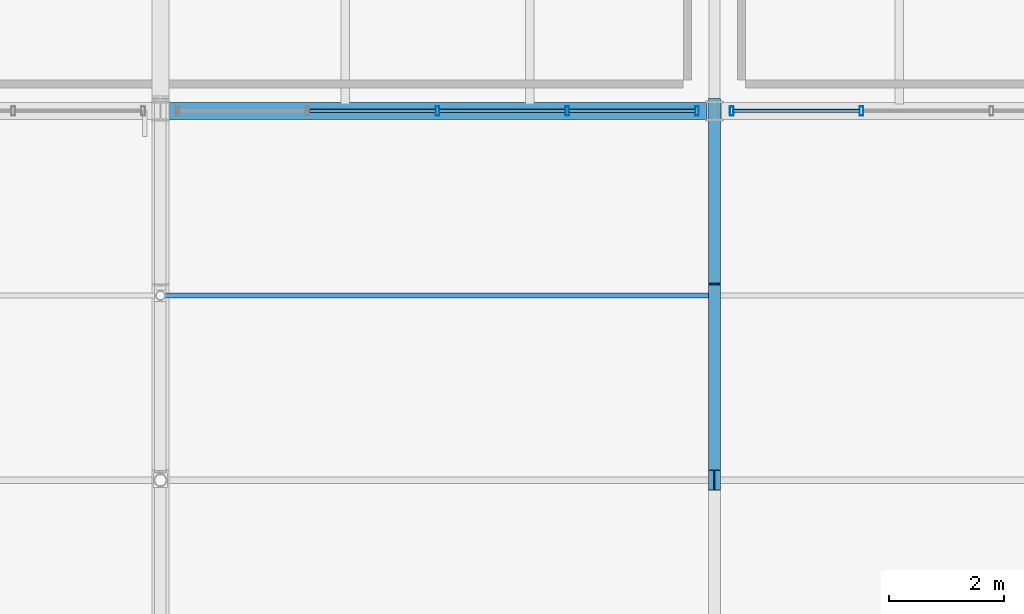
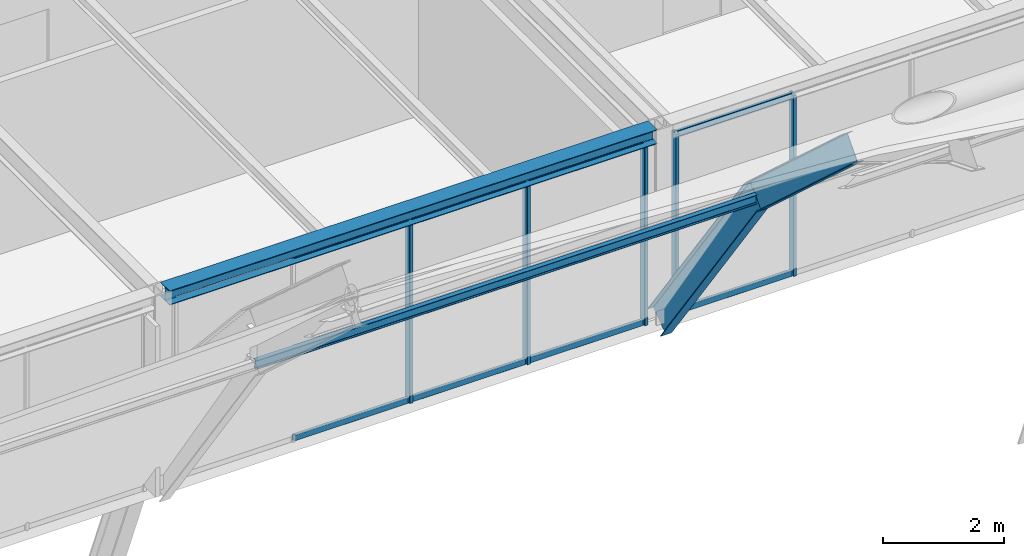
# One storey, part 80 of 126: 18 members, 3 beams, 2 elements without a shape of their own.
"""IFC4 building model written with IfcOpenShell, lengths in metres."""

import ifcopenshell
import ifcopenshell.guid

model = None  # the IFC model being written
_history = None  # IfcOwnerHistory: only IFC2X3 demands one
_inside = {}  # id of a spatial element -> (the spatial element, [elements in it])
_under = {}  # id of a project, library or spatial element -> (it, [spatial elements below it])
_declared = {}  # id of a project -> (the project, [libraries it declares])
_typed = {}  # id of a type object -> (the type object, [elements of that type])
_made_of = {}  # id of a material, layer set ... -> (it, [elements and type objects made of it])


def new_model(schema):
    """Start an empty IFC model of exactly this schema.

    Asked for "IFC4X3", IfcOpenShell would pick the latest addendum, in which some entities
    have other attributes; the version numbers below select the first issue.
    IFC2X3 requires an IfcOwnerHistory on every rooted entity: one is made here for all.
    """
    global model, _history
    if schema == "IFC4X3":
        model = ifcopenshell.file(schema_version=(4, 3, 0, 0))
    else:
        model = ifcopenshell.file(schema=schema)
    _inside.clear()
    _under.clear()
    _declared.clear()
    _typed.clear()
    _made_of.clear()
    _history = None
    if model.schema == "IFC2X3":
        org = make("IfcOrganization", Name="unknown")
        user = make(
            "IfcPersonAndOrganization",
            ThePerson=make("IfcPerson", FamilyName="unknown"),
            TheOrganization=org,
        )
        app = make(
            "IfcApplication",
            ApplicationDeveloper=org,
            Version="unknown",
            ApplicationFullName="unknown",
            ApplicationIdentifier="unknown",
        )
        _history = make(
            "IfcOwnerHistory",
            OwningUser=user,
            OwningApplication=app,
            ChangeAction="ADDED",
            CreationDate=0,
        )
    return model


def make(cls, **values):
    """One entity of the class cls with the attributes given. An attribute that is None is left unset."""
    return model.create_entity(
        cls, **{name: value for name, value in values.items() if value is not None}
    )


def rooted(cls, **values):
    """An entity with a GlobalId (a new one), such as an element, a storey or a relation."""
    return make(cls, GlobalId=ifcopenshell.guid.new(), OwnerHistory=_history, **values)


def si_unit(unit_type, name, prefix=None):
    """IfcSIUnit, for example si_unit("LENGTHUNIT", "METRE", prefix="MILLI")."""
    return make("IfcSIUnit", UnitType=unit_type, Prefix=prefix, Name=name)


def assignment(units):
    """IfcUnitAssignment: the units of a project."""
    return None if units is None else make("IfcUnitAssignment", Units=units)


def point(xyz):
    """IfcCartesianPoint."""
    return None if xyz is None else make("IfcCartesianPoint", Coordinates=xyz)


def direction(xyz):
    """IfcDirection."""
    return None if xyz is None else make("IfcDirection", DirectionRatios=xyz)


def frame(location, z_axis=None, x_axis=None):
    """IfcAxis2Placement3D, a coordinate frame: its origin and axes. An axis left out is left unset."""
    return make(
        "IfcAxis2Placement3D",
        Location=point(location),
        Axis=direction(z_axis),
        RefDirection=direction(x_axis),
    )


def frame_2d(location, x_axis=None):
    """IfcAxis2Placement2D, a coordinate frame in the plane: its origin and x axis."""
    return make(
        "IfcAxis2Placement2D", Location=point(location), RefDirection=direction(x_axis)
    )


def origin():
    """The frame at (0, 0, 0) with its axes left unset."""
    return frame((0.0, 0.0, 0.0))


def origin_2d():
    """The frame at (0, 0) in the plane with its x axis left unset."""
    return frame_2d((0.0, 0.0))


def place(relative_to, where):
    """IfcLocalPlacement: puts the frame where relative to a parent placement (None: the world)."""
    return make(
        "IfcLocalPlacement", PlacementRelTo=relative_to, RelativePlacement=where
    )


def context(
    kind, dimensions, precision=None, world=None, true_north=None, identifier=None
):
    """IfcGeometricRepresentationContext, for example the 3D "Model" context."""
    return make(
        "IfcGeometricRepresentationContext",
        ContextIdentifier=identifier,
        ContextType=kind,
        CoordinateSpaceDimension=dimensions,
        Precision=precision,
        WorldCoordinateSystem=world,
        TrueNorth=true_north,
    )


def subcontext(parent, identifier, kind, view, scale=None):
    """IfcGeometricRepresentationSubContext, for example "Body" below "Model"."""
    return make(
        "IfcGeometricRepresentationSubContext",
        ContextIdentifier=identifier,
        ContextType=kind,
        ParentContext=parent,
        TargetScale=scale,
        TargetView=view,
    )


def project(units=None, contexts=None):
    """IfcProject with its units and contexts."""
    return rooted(
        "IfcProject",
        Name="project",
        RepresentationContexts=contexts,
        UnitsInContext=assignment(units),
    )


def spatial(cls, under=None, at=None, **own):
    """A site, building, storey or space (cls), placed at a placement, below another one or the project."""
    s = rooted(cls, ObjectPlacement=at, **own)
    if under is not None:
        _under.setdefault(under.id(), (under, []))[1].append(s)
    return s


def profile(cls, at=None, kind="AREA", **sizes):
    """A parametric profile (cls). Its sizes go by their IFC names, for example OverallWidth=200.0."""
    return make(cls, ProfileType=kind, Position=at, **sizes)


def hollow_rectangle(**sizes):
    """IfcRectangleHollowProfileDef."""
    return profile("IfcRectangleHollowProfileDef", **sizes)


def i_section(**sizes):
    """IfcIShapeProfileDef."""
    return profile("IfcIShapeProfileDef", **sizes)


def extrude(swept, where, along, depth):
    """IfcExtrudedAreaSolid: the profile swept, set in the frame where, extruded along a direction by depth."""
    return make(
        "IfcExtrudedAreaSolid",
        SweptArea=swept,
        Position=where,
        ExtrudedDirection=direction(along),
        Depth=depth,
    )


def shape(context_of_items, identifier, shape_type, items):
    """IfcShapeRepresentation: the items that make up one representation, for example the "Body"."""
    return make(
        "IfcShapeRepresentation",
        ContextOfItems=context_of_items,
        RepresentationIdentifier=identifier,
        RepresentationType=shape_type,
        Items=items,
    )


def material(Name=None, Category=None):
    """IfcMaterial."""
    return make("IfcMaterial", Name=Name, Category=Category)


def material_profile(
    of_material, cross_section, Name=None, Category=None, Priority=None
):
    """IfcMaterialProfile: a cross section and its material."""
    return make(
        "IfcMaterialProfile",
        Name=Name,
        Material=of_material,
        Profile=cross_section,
        Priority=Priority,
        Category=Category,
    )


def profile_set(profiles, Name=None, composite=None):
    """IfcMaterialProfileSet."""
    return make(
        "IfcMaterialProfileSet",
        Name=Name,
        MaterialProfiles=profiles,
        CompositeProfile=composite,
    )


def made_of(thing, what):
    """Note that an element or type object is made of a material, layer set ...; save() writes the relation."""
    if what is not None:
        _made_of.setdefault(what.id(), (what, []))[1].append(thing)
    return thing


def type_object(cls, material=None, **own):
    """A type object (cls), such as IfcWallType, which elements share."""
    return made_of(rooted(cls, **own), material)


def element(
    cls,
    number,
    at=None,
    inside=None,
    cuts=None,
    type_object=None,
    material=None,
    context=None,
    identifier="Body",
    shape_type=None,
    held_by="IfcProductDefinitionShape",
    body=None,
    shapes=None,
    **own,
):
    """One element of the class cls, such as IfcWall. Its Tag is "e" and its number.

    at: its placement. inside: the storey or other place that contains it. cuts: it is an
    opening in that element (IfcRelVoidsElement). A single representation is given by context,
    identifier, shape_type and body (its items); several are given by shapes. held_by: the class
    of the entity that holds the representations. save() writes the other relations.
    """
    e = rooted(cls, Tag="e%d" % number, ObjectPlacement=at, **own)
    if body is not None:
        shapes = [shape(context, identifier, shape_type, body)]
    if shapes is not None:
        e.Representation = make(held_by, Representations=shapes)
    if inside is not None:
        _inside.setdefault(inside.id(), (inside, []))[1].append(e)
    if cuts is not None:
        rooted(
            "IfcRelVoidsElement", RelatingBuildingElement=cuts, RelatedOpeningElement=e
        )
    if type_object is not None:
        _typed.setdefault(type_object.id(), (type_object, []))[1].append(e)
    return made_of(e, material)


def aggregate(whole, parts):
    """IfcRelAggregates: a whole, such as a stair, and the parts it consists of."""
    return rooted("IfcRelAggregates", RelatingObject=whole, RelatedObjects=parts)


def save(model, path):
    """Write the relations noted so far, then the file.

    IfcRelAggregates (storeys below a building ...), IfcRelContainedInSpatialStructure (elements
    in a storey), IfcRelDefinesByType, IfcRelAssociatesMaterial and IfcRelDeclares: one each for
    every whole, place, type object, material and project.
    """
    for whole, parts in _under.values():
        aggregate(whole, parts)
    for where, things in _inside.values():
        rooted(
            "IfcRelContainedInSpatialStructure",
            RelatedElements=things,
            RelatingStructure=where,
        )
    for kind, things in _typed.values():
        rooted("IfcRelDefinesByType", RelatedObjects=things, RelatingType=kind)
    for what, things in _made_of.values():
        rooted("IfcRelAssociatesMaterial", RelatedObjects=things, RelatingMaterial=what)
    for by, libraries in _declared.values():
        rooted("IfcRelDeclares", RelatingContext=by, RelatedDefinitions=libraries)
    model.write(path)


model = new_model("IFC4")

# Units and contexts
model_context = context("Model", 3, precision=1e-05, world=origin(), true_north=direction((0.0, 1.0)))
body_context = subcontext(model_context, "Body", "Model", "MODEL_VIEW")
ifc_project = project(units=[si_unit("LENGTHUNIT", "METRE"), si_unit("AREAUNIT", "SQUARE_METRE"), si_unit("VOLUMEUNIT", "CUBIC_METRE"), si_unit("PLANEANGLEUNIT", "RADIAN"), si_unit("MASSUNIT", "GRAM", prefix="KILO")], contexts=[model_context])

# Site, building, storey
site_placement = place(None, origin())
site = spatial("IfcSite", under=ifc_project, at=site_placement, CompositionType="ELEMENT")
building_placement = place(site_placement, origin())
building = spatial("IfcBuilding", under=site, at=building_placement, Name="Coralgate Yard Interchange", CompositionType="ELEMENT")
storey_placement = place(building_placement, frame((0.0, 0.0, 10.5)))
storey = spatial("IfcBuildingStorey", under=building, at=storey_placement, Name="L02", CompositionType="ELEMENT", Elevation=10.5)

# Beams
ifc_material_1 = material(Name="Structural steel S355J2", Category="steel")
ifc_material_profile_1 = material_profile(ifc_material_1, i_section(OverallWidth=0.300048828125, OverallDepth=0.2900390625, WebThickness=0.008544921875, FlangeThickness=0.013916015625, FilletRadius=0.027099609375, at=origin_2d()), Name="HEA 300")
ifc_profile_set_1 = profile_set([ifc_material_profile_1], Name="Structural steel S355J2")
beam_type_1 = type_object("IfcBeamType", Name="BM-SP-2", PredefinedType="SPANDREL", material=ifc_profile_set_1)
beam_1_placement = place(storey_placement, frame((67.327392578125, 76.800048828125, 3.804931640625), z_axis=(1.0, 0.0, 0.0), x_axis=(0.0, 1.0, 0.0)))
element("IfcBeam", 1, at=beam_1_placement, inside=storey, type_object=beam_type_1, Name="L02 primary grid beam Y8 X7-8", PredefinedType="SPANDREL", context=body_context, shape_type="SweptSolid", body=[
    extrude(i_section(OverallWidth=0.300048828125, OverallDepth=0.2900390625, WebThickness=0.008544921875, FlangeThickness=0.013916015625, FilletRadius=0.027099609375, at=origin_2d()), origin(), (0.0, 0.0, 1.0), 9.34521484375),
])
ifc_material_2 = material(Name="Weather-coated structural steel S355J2", Category="steel")
ifc_material_profile_2 = material_profile(ifc_material_2, i_section(OverallWidth=0.209228515625, OverallDepth=0.533203125, WebThickness=0.010009765625, FlangeThickness=0.015625, FilletRadius=0.0126953125, at=origin_2d()), Name="UB 533x210x92")
ifc_profile_set_2 = profile_set([ifc_material_profile_2], Name="Weather-coated structural steel S355J2")
beam_type_2 = type_object("IfcBeamType", Name="BM-VR-1", PredefinedType="BEAM", material=ifc_profile_set_2)
beam_2_placement = place(storey_placement, frame((76.800048828125, 70.39990234375, 7.332763671875), z_axis=(0.0, 0.739500841068, -0.673155632867), x_axis=(-1.0, 0.0, 0.0)))
element("IfcBeam", 2, at=beam_2_placement, inside=storey, type_object=beam_type_2, Name="Barrel-vault gridshell rib 5 seg 11", PredefinedType="BEAM", context=body_context, shape_type="SweptSolid", body=[
    extrude(i_section(OverallWidth=0.209228515625, OverallDepth=0.533203125, WebThickness=0.010009765625, FlangeThickness=0.015625, FilletRadius=0.0126953125, at=origin_2d()), origin(), (0.0, 0.0, 1.0), 4.327392578125),
])
beam_3_placement = place(storey_placement, frame((76.800048828125, 73.60009765625, 4.419677734375), z_axis=(0.0, 0.581821714705, -0.813316354377), x_axis=(-1.0, 0.0, 0.0)))
element("IfcBeam", 3, at=beam_3_placement, inside=storey, type_object=beam_type_2, Name="Barrel-vault gridshell rib 5 seg 12", PredefinedType="BEAM", context=body_context, shape_type="SweptSolid", body=[
    extrude(i_section(OverallWidth=0.209228515625, OverallDepth=0.533203125, WebThickness=0.010009765625, FlangeThickness=0.015625, FilletRadius=0.0126953125, at=origin_2d()), origin(), (0.0, 0.0, 1.0), 5.5),
])

# Curtain wall, members
ifc_material_3 = material(Name="Anodised coastal aluminium and solar-control low-E glass", Category="aluminium")
curtain_wall_type = type_object("IfcCurtainWallType", Name="CW-CW-L02-A", PredefinedType="NOTDEFINED", material=ifc_material_3)
curtain_wall_1_placement = place(storey_placement, origin())
curtain_wall_1 = element("IfcCurtainWall", 4, at=curtain_wall_1_placement, inside=storey, type_object=curtain_wall_type, Name="L02 unitised curtain wall CW-L02-S-07-08", PredefinedType="NOTDEFINED")
ifc_material_4 = material(Name="Anodised coastal aluminium 6063-T6", Category="aluminium")
ifc_material_profile_3 = material_profile(ifc_material_4, hollow_rectangle(XDim=0.06494140625, YDim=0.159912109375, WallThickness=0.00390625, InnerFilletRadius=0.00390625, OuterFilletRadius=0.008056640625, at=origin_2d()), Name="ALU 65x160x4")
ifc_profile_set_3 = profile_set([ifc_material_profile_3], Name="Anodised coastal aluminium 6063-T6")
member_type_1 = type_object("IfcMemberType", Name="MB-MUL-160", PredefinedType="MULLION", material=ifc_profile_set_3)
member_1_placement = place(storey_placement, frame((76.5, 76.800048828125, 0.0), z_axis=(0.0, 0.0, 1.0), x_axis=(1.0, 0.0, 0.0)))
member_1 = element("IfcMember", 5, at=member_1_placement, type_object=member_type_1, Name="CW-L02-S-07-08 vertical mullion 1", PredefinedType="MULLION", context=body_context, shape_type="SweptSolid", body=[
    extrude(hollow_rectangle(XDim=0.06494140625, YDim=0.159912109375, WallThickness=0.00390625, InnerFilletRadius=0.00390625, OuterFilletRadius=0.008056640625, at=origin_2d()), origin(), (0.0, 0.0, 1.0), 3.659912109375),
])
member_2_placement = place(storey_placement, frame((74.25, 76.800048828125, 0.0), z_axis=(0.0, 0.0, 1.0), x_axis=(1.0, 0.0, 0.0)))
member_2 = element("IfcMember", 6, at=member_2_placement, type_object=member_type_1, Name="CW-L02-S-07-08 vertical mullion 2", PredefinedType="MULLION", context=body_context, shape_type="SweptSolid", body=[
    extrude(hollow_rectangle(XDim=0.06494140625, YDim=0.159912109375, WallThickness=0.00390625, InnerFilletRadius=0.00390625, OuterFilletRadius=0.008056640625, at=origin_2d()), origin(), (0.0, 0.0, 1.0), 3.659912109375),
])
member_3_placement = place(storey_placement, frame((72.0, 76.800048828125, 0.0), z_axis=(0.0, 0.0, 1.0), x_axis=(1.0, 0.0, 0.0)))
member_3 = element("IfcMember", 7, at=member_3_placement, type_object=member_type_1, Name="CW-L02-S-07-08 vertical mullion 3", PredefinedType="MULLION", context=body_context, shape_type="SweptSolid", body=[
    extrude(hollow_rectangle(XDim=0.06494140625, YDim=0.159912109375, WallThickness=0.00390625, InnerFilletRadius=0.00390625, OuterFilletRadius=0.008056640625, at=origin_2d()), origin(), (0.0, 0.0, 1.0), 3.659912109375),
])

curtain_wall_2_placement = place(storey_placement, origin())
curtain_wall_2 = element("IfcCurtainWall", 8, at=curtain_wall_2_placement, inside=storey, type_object=curtain_wall_type, Name="L02 unitised curtain wall CW-L02-S-08-08", PredefinedType="NOTDEFINED")
member_4_placement = place(storey_placement, frame((79.35009765625, 76.800048828125, 0.0), z_axis=(0.0, 0.0, 1.0), x_axis=(1.0, 0.0, 0.0)))
member_4 = element("IfcMember", 9, at=member_4_placement, type_object=member_type_1, Name="CW-L02-S-08-08 vertical mullion 4", PredefinedType="MULLION", context=body_context, shape_type="SweptSolid", body=[
    extrude(hollow_rectangle(XDim=0.06494140625, YDim=0.159912109375, WallThickness=0.00390625, InnerFilletRadius=0.00390625, OuterFilletRadius=0.008056640625, at=origin_2d()), origin(), (0.0, 0.0, 1.0), 3.659912109375),
])
member_5_placement = place(storey_placement, frame((77.10009765625, 76.800048828125, 0.0), z_axis=(0.0, 0.0, 1.0), x_axis=(1.0, 0.0, 0.0)))
member_5 = element("IfcMember", 10, at=member_5_placement, type_object=member_type_1, Name="CW-L02-S-08-08 vertical mullion 5", PredefinedType="MULLION", context=body_context, shape_type="SweptSolid", body=[
    extrude(hollow_rectangle(XDim=0.06494140625, YDim=0.159912109375, WallThickness=0.00390625, InnerFilletRadius=0.00390625, OuterFilletRadius=0.008056640625, at=origin_2d()), origin(), (0.0, 0.0, 1.0), 3.659912109375),
])

# Member
ifc_material_5 = material(Name="Off-white architectural structural steel S355J2", Category="steel")
ifc_material_profile_4 = material_profile(ifc_material_5, i_section(OverallWidth=0.091064453125, OverallDepth=0.179931640625, WebThickness=0.00537109375, FlangeThickness=0.008056640625, FilletRadius=0.009033203125, at=origin_2d()), Name="IPE 180")
ifc_profile_set_4 = profile_set([ifc_material_profile_4], Name="Off-white architectural structural steel S355J2")
member_type_2 = type_object("IfcMemberType", Name="MB-PR-2", PredefinedType="PURLIN", material=ifc_profile_set_4)
member_6_placement = place(storey_placement, frame((67.201904296875, 73.60009765625, 4.3662109375), z_axis=(1.0, 0.0, 0.0), x_axis=(0.0, 1.0, 0.0)))
element("IfcMember", 11, at=member_6_placement, inside=storey, type_object=member_type_2, Name="Barrel-vault gridshell purlin 4-12", PredefinedType="PURLIN", context=body_context, shape_type="SweptSolid", body=[
    extrude(i_section(OverallWidth=0.091064453125, OverallDepth=0.179931640625, WebThickness=0.00537109375, FlangeThickness=0.008056640625, FilletRadius=0.009033203125, at=origin_2d()), origin(), (0.0, 0.0, 1.0), 9.59619140625),
])

ifc_material_profile_5 = material_profile(ifc_material_4, hollow_rectangle(XDim=0.06005859375, YDim=0.1201171875, WallThickness=0.00341796875, InnerFilletRadius=0.00341796875, OuterFilletRadius=0.007080078125, at=origin_2d()), Name="ALU 60x120x3.5")
ifc_profile_set_5 = profile_set([ifc_material_profile_5], Name="Anodised coastal aluminium 6063-T6")
member_type_3 = type_object("IfcMemberType", Name="MB-TRN-120", PredefinedType="USERDEFINED", material=ifc_profile_set_5)
member_7_placement = place(storey_placement, frame((76.469970703125, 76.800048828125, 0.034912109375), z_axis=(-1.0, 0.0, 0.0), x_axis=(0.0, -1.0, 0.0)))
member_7 = element("IfcMember", 12, at=member_7_placement, type_object=member_type_3, Name="CW-L02-S-07-08 horizontal transom 1-1", ObjectType="TRANSOM", PredefinedType="USERDEFINED", context=body_context, shape_type="SweptSolid", body=[
    extrude(hollow_rectangle(XDim=0.06005859375, YDim=0.1201171875, WallThickness=0.00341796875, InnerFilletRadius=0.00341796875, OuterFilletRadius=0.007080078125, at=origin_2d()), origin(), (0.0, 0.0, 1.0), 2.18994140625),
])

member_8_placement = place(storey_placement, frame((76.469970703125, 76.800048828125, 1.830078125), z_axis=(-1.0, 0.0, 0.0), x_axis=(0.0, -1.0, 0.0)))
member_8 = element("IfcMember", 13, at=member_8_placement, type_object=member_type_3, Name="CW-L02-S-07-08 horizontal transom 1-2", ObjectType="TRANSOM", PredefinedType="USERDEFINED", context=body_context, shape_type="SweptSolid", body=[
    extrude(hollow_rectangle(XDim=0.06005859375, YDim=0.1201171875, WallThickness=0.00341796875, InnerFilletRadius=0.00341796875, OuterFilletRadius=0.007080078125, at=origin_2d()), origin(), (0.0, 0.0, 1.0), 2.18994140625),
])

member_9_placement = place(storey_placement, frame((76.469970703125, 76.800048828125, 3.625), z_axis=(-1.0, 0.0, 0.0), x_axis=(0.0, -1.0, 0.0)))
member_9 = element("IfcMember", 14, at=member_9_placement, type_object=member_type_3, Name="CW-L02-S-07-08 horizontal transom 1-3", ObjectType="TRANSOM", PredefinedType="USERDEFINED", context=body_context, shape_type="SweptSolid", body=[
    extrude(hollow_rectangle(XDim=0.06005859375, YDim=0.1201171875, WallThickness=0.00341796875, InnerFilletRadius=0.00341796875, OuterFilletRadius=0.007080078125, at=origin_2d()), origin(), (0.0, 0.0, 1.0), 2.18994140625),
])

member_10_placement = place(storey_placement, frame((74.219970703125, 76.800048828125, 0.034912109375), z_axis=(-1.0, 0.0, 0.0), x_axis=(0.0, -1.0, 0.0)))
member_10 = element("IfcMember", 15, at=member_10_placement, type_object=member_type_3, Name="CW-L02-S-07-08 horizontal transom 2-1", ObjectType="TRANSOM", PredefinedType="USERDEFINED", context=body_context, shape_type="SweptSolid", body=[
    extrude(hollow_rectangle(XDim=0.06005859375, YDim=0.1201171875, WallThickness=0.00341796875, InnerFilletRadius=0.00341796875, OuterFilletRadius=0.007080078125, at=origin_2d()), origin(), (0.0, 0.0, 1.0), 2.18994140625),
])

member_11_placement = place(storey_placement, frame((74.219970703125, 76.800048828125, 1.830078125), z_axis=(-1.0, 0.0, 0.0), x_axis=(0.0, -1.0, 0.0)))
member_11 = element("IfcMember", 16, at=member_11_placement, type_object=member_type_3, Name="CW-L02-S-07-08 horizontal transom 2-2", ObjectType="TRANSOM", PredefinedType="USERDEFINED", context=body_context, shape_type="SweptSolid", body=[
    extrude(hollow_rectangle(XDim=0.06005859375, YDim=0.1201171875, WallThickness=0.00341796875, InnerFilletRadius=0.00341796875, OuterFilletRadius=0.007080078125, at=origin_2d()), origin(), (0.0, 0.0, 1.0), 2.18994140625),
])

member_12_placement = place(storey_placement, frame((74.219970703125, 76.800048828125, 3.625), z_axis=(-1.0, 0.0, 0.0), x_axis=(0.0, -1.0, 0.0)))
member_12 = element("IfcMember", 17, at=member_12_placement, type_object=member_type_3, Name="CW-L02-S-07-08 horizontal transom 2-3", ObjectType="TRANSOM", PredefinedType="USERDEFINED", context=body_context, shape_type="SweptSolid", body=[
    extrude(hollow_rectangle(XDim=0.06005859375, YDim=0.1201171875, WallThickness=0.00341796875, InnerFilletRadius=0.00341796875, OuterFilletRadius=0.007080078125, at=origin_2d()), origin(), (0.0, 0.0, 1.0), 2.18994140625),
])

member_13_placement = place(storey_placement, frame((71.969970703125, 76.800048828125, 0.034912109375), z_axis=(-1.0, 0.0, 0.0), x_axis=(0.0, -1.0, 0.0)))
member_13 = element("IfcMember", 18, at=member_13_placement, type_object=member_type_3, Name="CW-L02-S-07-08 horizontal transom 3-1", ObjectType="TRANSOM", PredefinedType="USERDEFINED", context=body_context, shape_type="SweptSolid", body=[
    extrude(hollow_rectangle(XDim=0.06005859375, YDim=0.1201171875, WallThickness=0.00341796875, InnerFilletRadius=0.00341796875, OuterFilletRadius=0.007080078125, at=origin_2d()), origin(), (0.0, 0.0, 1.0), 2.18994140625),
])

member_14_placement = place(storey_placement, frame((71.969970703125, 76.800048828125, 1.830078125), z_axis=(-1.0, 0.0, 0.0), x_axis=(0.0, -1.0, 0.0)))
member_14 = element("IfcMember", 19, at=member_14_placement, type_object=member_type_3, Name="CW-L02-S-07-08 horizontal transom 3-2", ObjectType="TRANSOM", PredefinedType="USERDEFINED", context=body_context, shape_type="SweptSolid", body=[
    extrude(hollow_rectangle(XDim=0.06005859375, YDim=0.1201171875, WallThickness=0.00341796875, InnerFilletRadius=0.00341796875, OuterFilletRadius=0.007080078125, at=origin_2d()), origin(), (0.0, 0.0, 1.0), 2.18994140625),
])

member_15_placement = place(storey_placement, frame((71.969970703125, 76.800048828125, 3.625), z_axis=(-1.0, 0.0, 0.0), x_axis=(0.0, -1.0, 0.0)))
member_15 = element("IfcMember", 20, at=member_15_placement, type_object=member_type_3, Name="CW-L02-S-07-08 horizontal transom 3-3", ObjectType="TRANSOM", PredefinedType="USERDEFINED", context=body_context, shape_type="SweptSolid", body=[
    extrude(hollow_rectangle(XDim=0.06005859375, YDim=0.1201171875, WallThickness=0.00341796875, InnerFilletRadius=0.00341796875, OuterFilletRadius=0.007080078125, at=origin_2d()), origin(), (0.0, 0.0, 1.0), 2.18994140625),
])

aggregate(curtain_wall_1, [member_1, member_2, member_3, member_7, member_8, member_9, member_10, member_11, member_12, member_13, member_14, member_15])

member_16_placement = place(storey_placement, frame((79.320068359375, 76.800048828125, 0.034912109375), z_axis=(-1.0, 0.0, 0.0), x_axis=(0.0, -1.0, 0.0)))
member_16 = element("IfcMember", 21, at=member_16_placement, type_object=member_type_3, Name="CW-L02-S-08-08 horizontal transom 4-1", ObjectType="TRANSOM", PredefinedType="USERDEFINED", context=body_context, shape_type="SweptSolid", body=[
    extrude(hollow_rectangle(XDim=0.06005859375, YDim=0.1201171875, WallThickness=0.00341796875, InnerFilletRadius=0.00341796875, OuterFilletRadius=0.007080078125, at=origin_2d()), origin(), (0.0, 0.0, 1.0), 2.190185546875),
])

member_17_placement = place(storey_placement, frame((79.320068359375, 76.800048828125, 1.830078125), z_axis=(-1.0, 0.0, 0.0), x_axis=(0.0, -1.0, 0.0)))
member_17 = element("IfcMember", 22, at=member_17_placement, type_object=member_type_3, Name="CW-L02-S-08-08 horizontal transom 4-2", ObjectType="TRANSOM", PredefinedType="USERDEFINED", context=body_context, shape_type="SweptSolid", body=[
    extrude(hollow_rectangle(XDim=0.06005859375, YDim=0.1201171875, WallThickness=0.00341796875, InnerFilletRadius=0.00341796875, OuterFilletRadius=0.007080078125, at=origin_2d()), origin(), (0.0, 0.0, 1.0), 2.190185546875),
])

member_18_placement = place(storey_placement, frame((79.320068359375, 76.800048828125, 3.625), z_axis=(-1.0, 0.0, 0.0), x_axis=(0.0, -1.0, 0.0)))
member_18 = element("IfcMember", 23, at=member_18_placement, type_object=member_type_3, Name="CW-L02-S-08-08 horizontal transom 4-3", ObjectType="TRANSOM", PredefinedType="USERDEFINED", context=body_context, shape_type="SweptSolid", body=[
    extrude(hollow_rectangle(XDim=0.06005859375, YDim=0.1201171875, WallThickness=0.00341796875, InnerFilletRadius=0.00341796875, OuterFilletRadius=0.007080078125, at=origin_2d()), origin(), (0.0, 0.0, 1.0), 2.190185546875),
])

aggregate(curtain_wall_2, [member_4, member_5, member_16, member_17, member_18])

save(model, "model.ifc")
